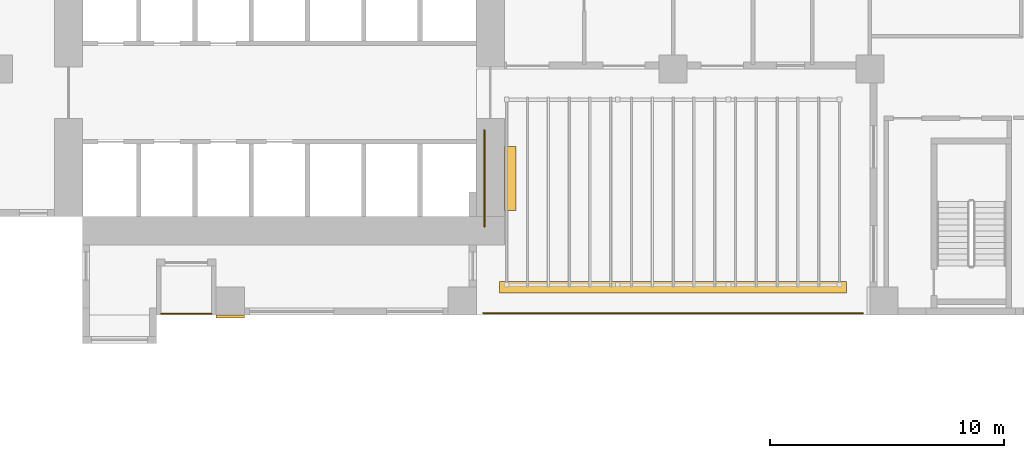
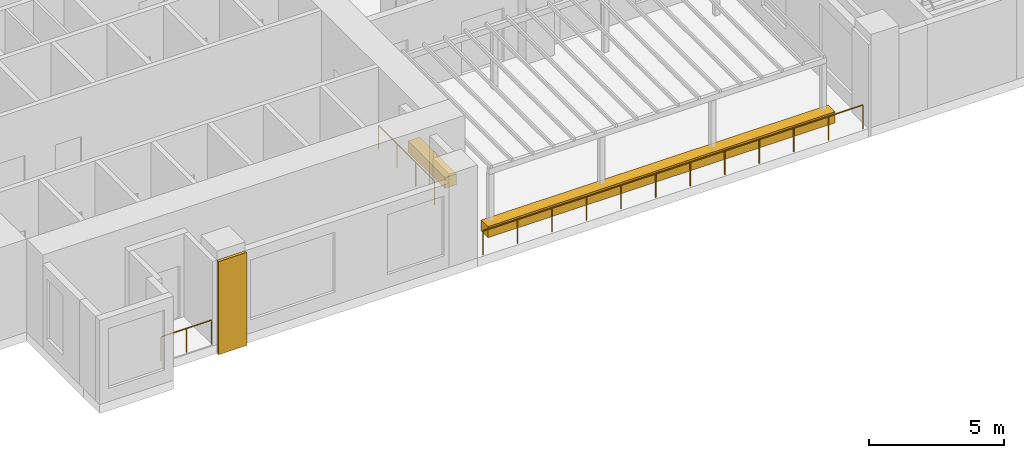
# One storey, part 13 of 16: 3 coverings, 3 railings.
"""IFC4 building model written with IfcOpenShell, lengths in metres."""

from ifc_helpers import new_model, si_unit, direction, frame, origin, origin_2d, place, context, subcontext, project, spatial, rectangle, circle, extrude, source, transform, mapped, material, type_object, element, save


model = new_model("IFC4")

# Units and contexts
model_context = context("Model", 3, precision=1e-05, world=origin(), true_north=direction((0.0, 1.0)))
body_context = subcontext(model_context, "Body", "Model", "MODEL_VIEW")
ifc_project = project(units=[si_unit("LENGTHUNIT", "METRE"), si_unit("AREAUNIT", "SQUARE_METRE"), si_unit("VOLUMEUNIT", "CUBIC_METRE"), si_unit("PLANEANGLEUNIT", "RADIAN"), si_unit("MASSUNIT", "GRAM", prefix="KILO")], contexts=[model_context])

# Site, building, storey
site_placement = place(None, origin())
site = spatial("IfcSite", under=ifc_project, at=site_placement, CompositionType="ELEMENT")
building_placement = place(site_placement, origin())
building = spatial("IfcBuilding", under=site, at=building_placement, Name="Aurelian Terraces", CompositionType="ELEMENT")
storey_placement = place(building_placement, frame((0.0, 0.0, 95.1)))
storey = spatial("IfcBuildingStorey", under=building, at=storey_placement, Name="L20", CompositionType="ELEMENT", Elevation=95.1)

# Covering
ifc_material_1 = material(Name="Terracotta rainscreen cladding relief", Category="masonry")
covering_type_1 = type_object("IfcCoveringType", Name="BAGUETTE-TC", PredefinedType="CLADDING", material=ifc_material_1)
shared_shape_1 = source(origin(), body_context, "Body", "SweptSolid", [
    extrude(rectangle(XDim=1.2, YDim=0.12, at=origin_2d()), origin(), (0.0, 0.0, 1.0), 4.2),
])
covering_1_placement = place(storey_placement, frame((10.5, -0.06, -0.4), z_axis=(0.0, 0.0, 1.0), x_axis=(1.0, 0.0, 0.0)))
element("IfcCovering", 1, at=covering_1_placement, inside=storey, type_object=covering_type_1, Name="BAGUETTE pier L20 1", PredefinedType="CLADDING", context=body_context, shape_type="MappedRepresentation", body=[
    mapped(shared_shape_1, transform((0.0, 0.0, 0.0), scale=1.0)),
])

# Railings
ifc_material_2 = material(Name="Anodised aluminium", Category="aluminium")
railing_type = type_object("IfcRailingType", Name="GUARD-1100", PredefinedType="GUARDRAIL", material=ifc_material_2)
shared_shape_2 = source(origin(), body_context, "Body", "SweptSolid", [
    extrude(circle(Radius=0.024, at=origin_2d()), frame((0.0, 0.0, 1.076), z_axis=(1.0, 0.0, 0.0), x_axis=(0.0, 1.0, 0.0)), (0.0, 0.0, 1.0), 2.15),
    extrude(circle(Radius=0.021, at=origin_2d()), origin(), (0.0, 0.0, 1.0), 1.052),
    extrude(circle(Radius=0.021, at=origin_2d()), frame((1.075, 0.0, 0.0)), (0.0, 0.0, 1.0), 1.052),
    extrude(circle(Radius=0.021, at=origin_2d()), frame((2.15, 0.0, 0.0)), (0.0, 0.0, 1.0), 1.052),
])
railing_1_placement = place(storey_placement, frame((7.55, 0.06, 0.05)))
element("IfcRailing", 2, at=railing_1_placement, inside=storey, type_object=railing_type, Name="Loggia guard L20 F01.2", PredefinedType="GUARDRAIL", context=body_context, shape_type="MappedRepresentation", body=[
    mapped(shared_shape_2, transform((0.0, 0.0, 0.0), scale=1.0)),
])
shared_shape_3 = source(origin(), body_context, "Body", "SweptSolid", [
    extrude(circle(Radius=0.024, at=origin_2d()), frame((0.0, 0.0, 1.076), z_axis=(-1.0, 0.0, 0.0), x_axis=(0.0, -1.0, 0.0)), (0.0, 0.0, 1.0), 16.2),
    extrude(circle(Radius=0.021, at=origin_2d()), origin(), (0.0, 0.0, 1.0), 1.052),
    extrude(circle(Radius=0.021, at=origin_2d()), frame((-1.4727, 0.0, 0.0)), (0.0, 0.0, 1.0), 1.052),
    extrude(circle(Radius=0.021, at=origin_2d()), frame((-2.9455, 0.0, 0.0)), (0.0, 0.0, 1.0), 1.052),
    extrude(circle(Radius=0.021, at=origin_2d()), frame((-4.4182, 0.0, 0.0)), (0.0, 0.0, 1.0), 1.052),
    extrude(circle(Radius=0.021, at=origin_2d()), frame((-5.8909, 0.0, 0.0)), (0.0, 0.0, 1.0), 1.052),
    extrude(circle(Radius=0.021, at=origin_2d()), frame((-7.3636, 0.0, 0.0)), (0.0, 0.0, 1.0), 1.052),
    extrude(circle(Radius=0.021, at=origin_2d()), frame((-8.8364, 0.0, 0.0)), (0.0, 0.0, 1.0), 1.052),
    extrude(circle(Radius=0.021, at=origin_2d()), frame((-10.3091, 0.0, 0.0)), (0.0, 0.0, 1.0), 1.052),
    extrude(circle(Radius=0.021, at=origin_2d()), frame((-11.7818, 0.0, 0.0)), (0.0, 0.0, 1.0), 1.052),
    extrude(circle(Radius=0.021, at=origin_2d()), frame((-13.2545, 0.0, 0.0)), (0.0, 0.0, 1.0), 1.052),
    extrude(circle(Radius=0.021, at=origin_2d()), frame((-14.7273, 0.0, 0.0)), (0.0, 0.0, 1.0), 1.052),
    extrude(circle(Radius=0.021, at=origin_2d()), frame((-16.2, 0.0, 0.0)), (0.0, 0.0, 1.0), 1.052),
])
railing_2_placement = place(storey_placement, frame((37.5, 0.09, 0.0)))
element("IfcRailing", 3, at=railing_2_placement, inside=storey, type_object=railing_type, Name="Terrace guard L20 SKY-03-T1.1", PredefinedType="GUARDRAIL", context=body_context, shape_type="MappedRepresentation", body=[
    mapped(shared_shape_3, transform((0.0, 0.0, 0.0), scale=1.0)),
])

# Covering
ifc_material_3 = material(Name="Terracotta planter with planting soil", Category="masonry")
covering_type_2 = type_object("IfcCoveringType", Name="PLANTER-TROUGH", PredefinedType="USERDEFINED", material=ifc_material_3)
shared_shape_4 = source(origin(), body_context, "Body", "SweptSolid", [
    extrude(rectangle(XDim=14.8, YDim=0.5, at=origin_2d()), origin(), (0.0, 0.0, 1.0), 0.5),
])
covering_2_placement = place(storey_placement, frame((29.4, 1.19, 0.0), z_axis=(0.0, 0.0, 1.0), x_axis=(1.0, 0.0, 0.0)))
element("IfcCovering", 4, at=covering_2_placement, inside=storey, type_object=covering_type_2, Name="PLANTER L20 terrace SKY-03-T1-0.1", ObjectType="PLANTER", PredefinedType="USERDEFINED", context=body_context, shape_type="MappedRepresentation", body=[
    mapped(shared_shape_4, transform((0.0, 0.0, 0.0), scale=1.0)),
])

# Railing
shared_shape_5 = source(origin(), body_context, "Body", "SweptSolid", [
    extrude(circle(Radius=0.024, at=origin_2d()), frame((0.0, 0.0, 1.076), z_axis=(0.0, 1.0, 0.0), x_axis=(-1.0, 0.0, 0.0)), (0.0, 0.0, 1.0), 4.1242),
    extrude(circle(Radius=0.021, at=origin_2d()), origin(), (0.0, 0.0, 1.0), 1.052),
    extrude(circle(Radius=0.021, at=origin_2d()), frame((0.0, 1.3747, 0.0)), (0.0, 0.0, 1.0), 1.052),
    extrude(circle(Radius=0.021, at=origin_2d()), frame((0.0, 2.7495, 0.0)), (0.0, 0.0, 1.0), 1.052),
    extrude(circle(Radius=0.021, at=origin_2d()), frame((0.0, 4.1242, 0.0)), (0.0, 0.0, 1.0), 1.052),
])
railing_3_placement = place(storey_placement, frame((21.35, 3.7758, 0.0)))
element("IfcRailing", 5, at=railing_3_placement, inside=storey, type_object=railing_type, Name="Terrace guard L20 SKY-03-T1.2", PredefinedType="GUARDRAIL", context=body_context, shape_type="MappedRepresentation", body=[
    mapped(shared_shape_5, transform((0.0, 0.0, 0.0), scale=1.0)),
])

# Covering
shared_shape_6 = source(origin(), body_context, "Body", "SweptSolid", [
    extrude(rectangle(XDim=0.5, YDim=2.7242, at=origin_2d()), origin(), (0.0, 0.0, 1.0), 0.5),
])
covering_3_placement = place(storey_placement, frame((22.45, 5.8379, 0.0), z_axis=(0.0, 0.0, 1.0), x_axis=(1.0, 0.0, 0.0)))
element("IfcCovering", 6, at=covering_3_placement, inside=storey, type_object=covering_type_2, Name="PLANTER L20 terrace SKY-03-T1-1.1", ObjectType="PLANTER", PredefinedType="USERDEFINED", context=body_context, shape_type="MappedRepresentation", body=[
    mapped(shared_shape_6, transform((0.0, 0.0, 0.0), scale=1.0)),
])

save(model, "model.ifc")
